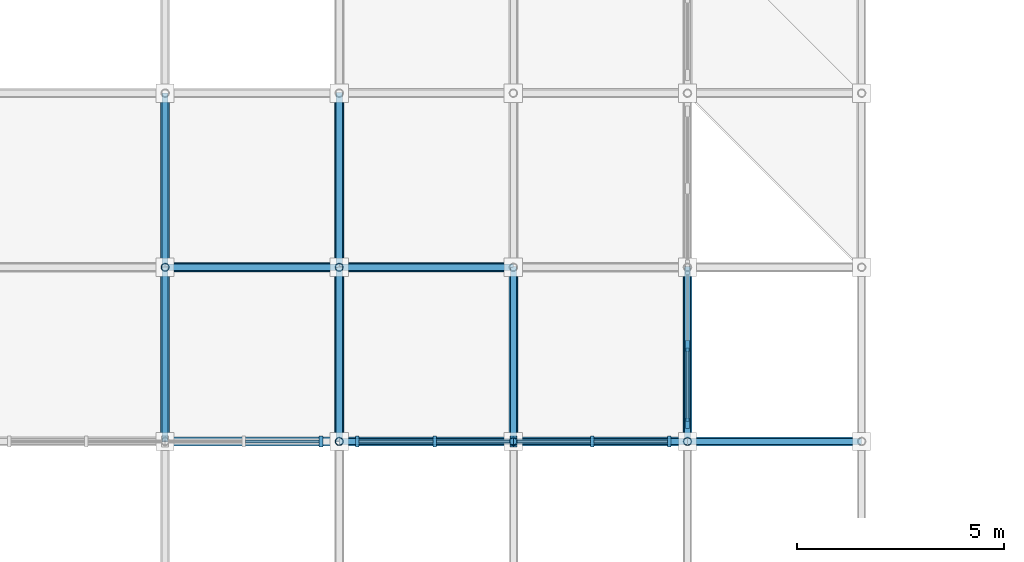
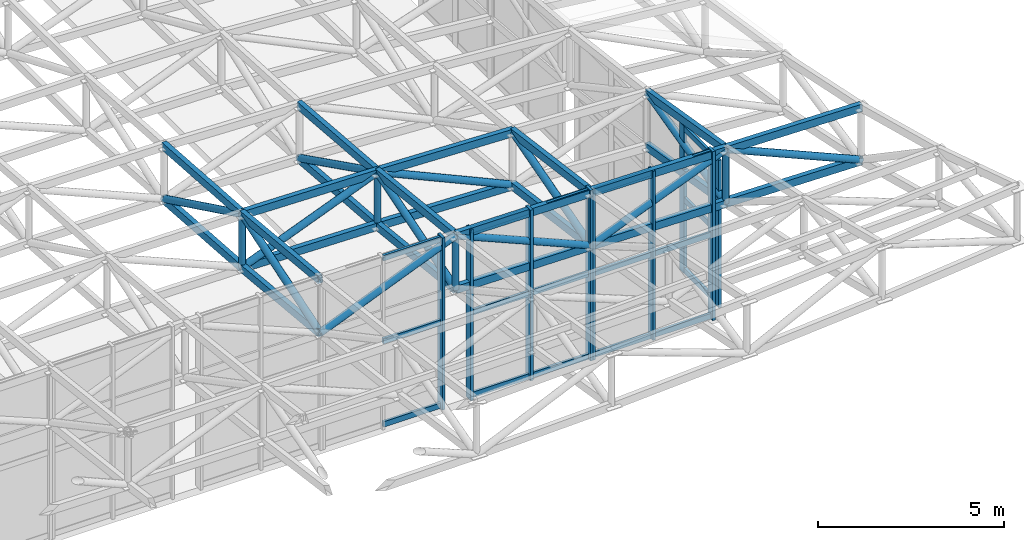
# One storey, part 22 of 132: 66 members, 4 elements without a shape of their own.
"""IFC4 building model written with IfcOpenShell, lengths in metres."""

from ifc_helpers import new_model, si_unit, direction, frame, origin, origin_2d, place, context, subcontext, project, spatial, rectangle, hollow_rectangle, hollow_circle, extrude, material, material_profile, profile_set, type_object, element, aggregate, save


model = new_model("IFC4")

# Units and contexts
model_context = context("Model", 3, precision=1e-05, world=origin(), true_north=direction((0.0, 1.0)))
body_context = subcontext(model_context, "Body", "Model", "MODEL_VIEW")
ifc_project = project(units=[si_unit("LENGTHUNIT", "METRE"), si_unit("AREAUNIT", "SQUARE_METRE"), si_unit("VOLUMEUNIT", "CUBIC_METRE"), si_unit("PLANEANGLEUNIT", "RADIAN"), si_unit("MASSUNIT", "GRAM", prefix="KILO")], contexts=[model_context])

# Site, building, storey
site_placement = place(None, origin())
site = spatial("IfcSite", under=ifc_project, at=site_placement, CompositionType="ELEMENT")
building_placement = place(site_placement, origin())
building = spatial("IfcBuilding", under=site, at=building_placement, Name="Cumbredor Promenade Congress Hotel", CompositionType="ELEMENT")
storey_placement = place(building_placement, frame((0.0, 0.0, 7.56005859375)))
storey = spatial("IfcBuildingStorey", under=building, at=storey_placement, Name="L02", CompositionType="ELEMENT", Elevation=7.56005859375)

# Curtain wall, member
ifc_material_1 = material(Name="Thermally broken anodized aluminium and low-E glass", Category="aluminium")
curtain_wall_type = type_object("IfcCurtainWallType", Name="Stepped Pavilion Clerestory Curtain Wall CW-06", PredefinedType="NOTDEFINED", material=ifc_material_1)
curtain_wall_1_placement = place(storey_placement, origin())
curtain_wall_1 = element("IfcCurtainWall", 1, at=curtain_wall_1_placement, inside=storey, type_object=curtain_wall_type, Name="Thermal Spa and Hydrotherapy Pavilion S Glazed Clerestory 6", PredefinedType="NOTDEFINED")
ifc_material_2 = material(Name="Thermally broken anodized aluminium", Category="aluminium")
ifc_material_profile_1 = material_profile(ifc_material_2, rectangle(XDim=0.0849609375, YDim=0.260009765625, at=origin_2d()), Name="ALU MULLION CLERESTORY 85x260")
ifc_profile_set_1 = profile_set([ifc_material_profile_1], Name="Thermally broken anodized aluminium")
member_type_1 = type_object("IfcMemberType", Name="Curtain Wall Mullion ML-04", PredefinedType="MULLION", material=ifc_profile_set_1)
member_1_placement = place(storey_placement, frame((100.360107421875, 8.39990234375, -0.01806640625), z_axis=(0.0, 0.0, 1.0), x_axis=(1.0, 0.0, 0.0)))
member_1 = element("IfcMember", 2, at=member_1_placement, type_object=member_type_1, Name="Thermal Spa and Hydrotherapy Pavilion S Glazed Clerestory 6 Mullion 3", PredefinedType="MULLION", context=body_context, shape_type="SweptSolid", body=[
    extrude(rectangle(XDim=0.0849609375, YDim=0.260009765625, at=origin_2d()), origin(), (0.0, 0.0, 1.0), 5.6533203125),
])

# Curtain wall, members
curtain_wall_2_placement = place(storey_placement, origin())
curtain_wall_2 = element("IfcCurtainWall", 3, at=curtain_wall_2_placement, inside=storey, type_object=curtain_wall_type, Name="Thermal Spa and Hydrotherapy Pavilion S Glazed Clerestory 7", PredefinedType="NOTDEFINED")
member_2_placement = place(storey_placement, frame((101.239990234375, 8.39990234375, -0.01806640625), z_axis=(0.0, 0.0, 1.0), x_axis=(1.0, 0.0, 0.0)))
member_2 = element("IfcMember", 4, at=member_2_placement, type_object=member_type_1, Name="Thermal Spa and Hydrotherapy Pavilion S Glazed Clerestory 7 Mullion 1", PredefinedType="MULLION", context=body_context, shape_type="SweptSolid", body=[
    extrude(rectangle(XDim=0.0849609375, YDim=0.260009765625, at=origin_2d()), origin(), (0.0, 0.0, 1.0), 5.610107421875),
])
member_3_placement = place(storey_placement, frame((103.10009765625, 8.39990234375, -0.01806640625), z_axis=(0.0, 0.0, 1.0), x_axis=(1.0, 0.0, 0.0)))
member_3 = element("IfcMember", 5, at=member_3_placement, type_object=member_type_1, Name="Thermal Spa and Hydrotherapy Pavilion S Glazed Clerestory 7 Mullion 2", PredefinedType="MULLION", context=body_context, shape_type="SweptSolid", body=[
    extrude(rectangle(XDim=0.0849609375, YDim=0.260009765625, at=origin_2d()), origin(), (0.0, 0.0, 1.0), 5.610107421875),
])
member_4_placement = place(storey_placement, frame((104.9599609375, 8.39990234375, -0.01806640625), z_axis=(0.0, 0.0, 1.0), x_axis=(1.0, 0.0, 0.0)))
member_4 = element("IfcMember", 6, at=member_4_placement, type_object=member_type_1, Name="Thermal Spa and Hydrotherapy Pavilion S Glazed Clerestory 7 Mullion 3", PredefinedType="MULLION", context=body_context, shape_type="SweptSolid", body=[
    extrude(rectangle(XDim=0.0849609375, YDim=0.260009765625, at=origin_2d()), origin(), (0.0, 0.0, 1.0), 5.610107421875),
])

curtain_wall_3_placement = place(storey_placement, origin())
curtain_wall_3 = element("IfcCurtainWall", 7, at=curtain_wall_3_placement, inside=storey, type_object=curtain_wall_type, Name="Thermal Spa and Hydrotherapy Pavilion S Glazed Clerestory 8", PredefinedType="NOTDEFINED")
member_5_placement = place(storey_placement, frame((105.0400390625, 8.39990234375, -0.01806640625), z_axis=(0.0, 0.0, 1.0), x_axis=(1.0, 0.0, 0.0)))
member_5 = element("IfcMember", 8, at=member_5_placement, type_object=member_type_1, Name="Thermal Spa and Hydrotherapy Pavilion S Glazed Clerestory 8 Mullion 1", PredefinedType="MULLION", context=body_context, shape_type="SweptSolid", body=[
    extrude(rectangle(XDim=0.0849609375, YDim=0.260009765625, at=origin_2d()), origin(), (0.0, 0.0, 1.0), 5.54931640625),
])
member_6_placement = place(storey_placement, frame((106.89990234375, 8.39990234375, -0.01806640625), z_axis=(0.0, 0.0, 1.0), x_axis=(1.0, 0.0, 0.0)))
member_6 = element("IfcMember", 9, at=member_6_placement, type_object=member_type_1, Name="Thermal Spa and Hydrotherapy Pavilion S Glazed Clerestory 8 Mullion 2", PredefinedType="MULLION", context=body_context, shape_type="SweptSolid", body=[
    extrude(rectangle(XDim=0.0849609375, YDim=0.260009765625, at=origin_2d()), origin(), (0.0, 0.0, 1.0), 5.54931640625),
])
member_7_placement = place(storey_placement, frame((108.760009765625, 8.39990234375, -0.01806640625), z_axis=(0.0, 0.0, 1.0), x_axis=(1.0, 0.0, 0.0)))
member_7 = element("IfcMember", 10, at=member_7_placement, type_object=member_type_1, Name="Thermal Spa and Hydrotherapy Pavilion S Glazed Clerestory 8 Mullion 3", PredefinedType="MULLION", context=body_context, shape_type="SweptSolid", body=[
    extrude(rectangle(XDim=0.0849609375, YDim=0.260009765625, at=origin_2d()), origin(), (0.0, 0.0, 1.0), 5.54931640625),
])

curtain_wall_4_placement = place(storey_placement, origin())
curtain_wall_4 = element("IfcCurtainWall", 11, at=curtain_wall_4_placement, inside=storey, type_object=curtain_wall_type, Name="Thermal Spa and Hydrotherapy Pavilion E Glazed Clerestory 1", PredefinedType="NOTDEFINED")
member_8_placement = place(storey_placement, frame((109.199951171875, 8.840087890625, -0.01806640625), z_axis=(0.0, 0.0, 1.0), x_axis=(1.0, 0.0, 0.0)))
member_8 = element("IfcMember", 12, at=member_8_placement, type_object=member_type_1, Name="Thermal Spa and Hydrotherapy Pavilion E Glazed Clerestory 1 Mullion 1", PredefinedType="MULLION", context=body_context, shape_type="SweptSolid", body=[
    extrude(rectangle(XDim=0.0849609375, YDim=0.260009765625, at=origin_2d()), origin(), (0.0, 0.0, 1.0), 4.845947265625),
])
member_9_placement = place(storey_placement, frame((109.199951171875, 10.699951171875, -0.01806640625), z_axis=(0.0, 0.0, 1.0), x_axis=(1.0, 0.0, 0.0)))
member_9 = element("IfcMember", 13, at=member_9_placement, type_object=member_type_1, Name="Thermal Spa and Hydrotherapy Pavilion E Glazed Clerestory 1 Mullion 2", PredefinedType="MULLION", context=body_context, shape_type="SweptSolid", body=[
    extrude(rectangle(XDim=0.0849609375, YDim=0.260009765625, at=origin_2d()), origin(), (0.0, 0.0, 1.0), 4.845947265625),
])

# Member
ifc_material_profile_2 = material_profile(ifc_material_2, rectangle(XDim=0.080078125, YDim=0.179931640625, at=origin_2d()), Name="ALU TRANSOM 80x180")
ifc_profile_set_2 = profile_set([ifc_material_profile_2], Name="Thermally broken anodized aluminium")
member_type_2 = type_object("IfcMemberType", Name="Curtain Wall Transom TR-03", PredefinedType="USERDEFINED", material=ifc_profile_set_2)
member_10_placement = place(storey_placement, frame((98.54248046875, 8.39990234375, 0.079833984375), z_axis=(1.0, 0.0, 0.0), x_axis=(0.0, 1.0, 0.0)))
member_10 = element("IfcMember", 14, at=member_10_placement, type_object=member_type_2, Name="Thermal Spa and Hydrotherapy Pavilion S Glazed Clerestory 6 Transom 2.1", ObjectType="TRANSOM", PredefinedType="USERDEFINED", context=body_context, shape_type="SweptSolid", body=[
    extrude(rectangle(XDim=0.080078125, YDim=0.179931640625, at=origin_2d()), origin(), (0.0, 0.0, 1.0), 1.77490234375),
])

member_11_placement = place(storey_placement, frame((98.54248046875, 8.39990234375, 2.81005859375), z_axis=(1.0, 0.0, 0.0), x_axis=(0.0, 1.0, 0.0)))
member_11 = element("IfcMember", 15, at=member_11_placement, type_object=member_type_2, Name="Thermal Spa and Hydrotherapy Pavilion S Glazed Clerestory 6 Transom 2.2", ObjectType="TRANSOM", PredefinedType="USERDEFINED", context=body_context, shape_type="SweptSolid", body=[
    extrude(rectangle(XDim=0.080078125, YDim=0.179931640625, at=origin_2d()), origin(), (0.0, 0.0, 1.0), 1.77490234375),
])

member_12_placement = place(storey_placement, frame((98.54248046875, 8.39990234375, 5.5400390625), z_axis=(1.0, 0.0, 0.0), x_axis=(0.0, 1.0, 0.0)))
member_12 = element("IfcMember", 16, at=member_12_placement, type_object=member_type_2, Name="Thermal Spa and Hydrotherapy Pavilion S Glazed Clerestory 6 Transom 2.3", ObjectType="TRANSOM", PredefinedType="USERDEFINED", context=body_context, shape_type="SweptSolid", body=[
    extrude(rectangle(XDim=0.080078125, YDim=0.179931640625, at=origin_2d()), origin(), (0.0, 0.0, 1.0), 1.77490234375),
])

aggregate(curtain_wall_1, [member_1, member_10, member_11, member_12])

member_13_placement = place(storey_placement, frame((101.282470703125, 8.39990234375, 0.079833984375), z_axis=(1.0, 0.0, 0.0), x_axis=(0.0, 1.0, 0.0)))
member_13 = element("IfcMember", 17, at=member_13_placement, type_object=member_type_2, Name="Thermal Spa and Hydrotherapy Pavilion S Glazed Clerestory 7 Transom 1.1", ObjectType="TRANSOM", PredefinedType="USERDEFINED", context=body_context, shape_type="SweptSolid", body=[
    extrude(rectangle(XDim=0.080078125, YDim=0.179931640625, at=origin_2d()), origin(), (0.0, 0.0, 1.0), 1.775146484375),
])

member_14_placement = place(storey_placement, frame((101.282470703125, 8.39990234375, 2.7900390625), z_axis=(1.0, 0.0, 0.0), x_axis=(0.0, 1.0, 0.0)))
member_14 = element("IfcMember", 18, at=member_14_placement, type_object=member_type_2, Name="Thermal Spa and Hydrotherapy Pavilion S Glazed Clerestory 7 Transom 1.2", ObjectType="TRANSOM", PredefinedType="USERDEFINED", context=body_context, shape_type="SweptSolid", body=[
    extrude(rectangle(XDim=0.080078125, YDim=0.179931640625, at=origin_2d()), origin(), (0.0, 0.0, 1.0), 1.775146484375),
])

member_15_placement = place(storey_placement, frame((101.282470703125, 8.39990234375, 5.489990234375), z_axis=(1.0, 0.0, 0.0), x_axis=(0.0, 1.0, 0.0)))
member_15 = element("IfcMember", 19, at=member_15_placement, type_object=member_type_2, Name="Thermal Spa and Hydrotherapy Pavilion S Glazed Clerestory 7 Transom 1.3", ObjectType="TRANSOM", PredefinedType="USERDEFINED", context=body_context, shape_type="SweptSolid", body=[
    extrude(rectangle(XDim=0.080078125, YDim=0.179931640625, at=origin_2d()), origin(), (0.0, 0.0, 1.0), 1.775146484375),
])

member_16_placement = place(storey_placement, frame((103.142578125, 8.39990234375, 0.079833984375), z_axis=(1.0, 0.0, 0.0), x_axis=(0.0, 1.0, 0.0)))
member_16 = element("IfcMember", 20, at=member_16_placement, type_object=member_type_2, Name="Thermal Spa and Hydrotherapy Pavilion S Glazed Clerestory 7 Transom 2.1", ObjectType="TRANSOM", PredefinedType="USERDEFINED", context=body_context, shape_type="SweptSolid", body=[
    extrude(rectangle(XDim=0.080078125, YDim=0.179931640625, at=origin_2d()), origin(), (0.0, 0.0, 1.0), 1.77490234375),
])

member_17_placement = place(storey_placement, frame((103.142578125, 8.39990234375, 2.7900390625), z_axis=(1.0, 0.0, 0.0), x_axis=(0.0, 1.0, 0.0)))
member_17 = element("IfcMember", 21, at=member_17_placement, type_object=member_type_2, Name="Thermal Spa and Hydrotherapy Pavilion S Glazed Clerestory 7 Transom 2.2", ObjectType="TRANSOM", PredefinedType="USERDEFINED", context=body_context, shape_type="SweptSolid", body=[
    extrude(rectangle(XDim=0.080078125, YDim=0.179931640625, at=origin_2d()), origin(), (0.0, 0.0, 1.0), 1.77490234375),
])

member_18_placement = place(storey_placement, frame((103.142578125, 8.39990234375, 5.489990234375), z_axis=(1.0, 0.0, 0.0), x_axis=(0.0, 1.0, 0.0)))
member_18 = element("IfcMember", 22, at=member_18_placement, type_object=member_type_2, Name="Thermal Spa and Hydrotherapy Pavilion S Glazed Clerestory 7 Transom 2.3", ObjectType="TRANSOM", PredefinedType="USERDEFINED", context=body_context, shape_type="SweptSolid", body=[
    extrude(rectangle(XDim=0.080078125, YDim=0.179931640625, at=origin_2d()), origin(), (0.0, 0.0, 1.0), 1.77490234375),
])

aggregate(curtain_wall_2, [member_2, member_3, member_4, member_13, member_14, member_15, member_16, member_17, member_18])

member_19_placement = place(storey_placement, frame((105.08251953125, 8.39990234375, 0.079833984375), z_axis=(1.0, 0.0, 0.0), x_axis=(0.0, 1.0, 0.0)))
member_19 = element("IfcMember", 23, at=member_19_placement, type_object=member_type_2, Name="Thermal Spa and Hydrotherapy Pavilion S Glazed Clerestory 8 Transom 1.1", ObjectType="TRANSOM", PredefinedType="USERDEFINED", context=body_context, shape_type="SweptSolid", body=[
    extrude(rectangle(XDim=0.080078125, YDim=0.179931640625, at=origin_2d()), origin(), (0.0, 0.0, 1.0), 1.77490234375),
])

member_20_placement = place(storey_placement, frame((105.08251953125, 8.39990234375, 2.75), z_axis=(1.0, 0.0, 0.0), x_axis=(0.0, 1.0, 0.0)))
member_20 = element("IfcMember", 24, at=member_20_placement, type_object=member_type_2, Name="Thermal Spa and Hydrotherapy Pavilion S Glazed Clerestory 8 Transom 1.2", ObjectType="TRANSOM", PredefinedType="USERDEFINED", context=body_context, shape_type="SweptSolid", body=[
    extrude(rectangle(XDim=0.080078125, YDim=0.179931640625, at=origin_2d()), origin(), (0.0, 0.0, 1.0), 1.77490234375),
])

member_21_placement = place(storey_placement, frame((105.08251953125, 8.39990234375, 5.429931640625), z_axis=(1.0, 0.0, 0.0), x_axis=(0.0, 1.0, 0.0)))
member_21 = element("IfcMember", 25, at=member_21_placement, type_object=member_type_2, Name="Thermal Spa and Hydrotherapy Pavilion S Glazed Clerestory 8 Transom 1.3", ObjectType="TRANSOM", PredefinedType="USERDEFINED", context=body_context, shape_type="SweptSolid", body=[
    extrude(rectangle(XDim=0.080078125, YDim=0.179931640625, at=origin_2d()), origin(), (0.0, 0.0, 1.0), 1.77490234375),
])

member_22_placement = place(storey_placement, frame((106.9423828125, 8.39990234375, 0.079833984375), z_axis=(1.0, 0.0, 0.0), x_axis=(0.0, 1.0, 0.0)))
member_22 = element("IfcMember", 26, at=member_22_placement, type_object=member_type_2, Name="Thermal Spa and Hydrotherapy Pavilion S Glazed Clerestory 8 Transom 2.1", ObjectType="TRANSOM", PredefinedType="USERDEFINED", context=body_context, shape_type="SweptSolid", body=[
    extrude(rectangle(XDim=0.080078125, YDim=0.179931640625, at=origin_2d()), origin(), (0.0, 0.0, 1.0), 1.775146484375),
])

member_23_placement = place(storey_placement, frame((106.9423828125, 8.39990234375, 2.75), z_axis=(1.0, 0.0, 0.0), x_axis=(0.0, 1.0, 0.0)))
member_23 = element("IfcMember", 27, at=member_23_placement, type_object=member_type_2, Name="Thermal Spa and Hydrotherapy Pavilion S Glazed Clerestory 8 Transom 2.2", ObjectType="TRANSOM", PredefinedType="USERDEFINED", context=body_context, shape_type="SweptSolid", body=[
    extrude(rectangle(XDim=0.080078125, YDim=0.179931640625, at=origin_2d()), origin(), (0.0, 0.0, 1.0), 1.775146484375),
])

member_24_placement = place(storey_placement, frame((106.9423828125, 8.39990234375, 5.429931640625), z_axis=(1.0, 0.0, 0.0), x_axis=(0.0, 1.0, 0.0)))
member_24 = element("IfcMember", 28, at=member_24_placement, type_object=member_type_2, Name="Thermal Spa and Hydrotherapy Pavilion S Glazed Clerestory 8 Transom 2.3", ObjectType="TRANSOM", PredefinedType="USERDEFINED", context=body_context, shape_type="SweptSolid", body=[
    extrude(rectangle(XDim=0.080078125, YDim=0.179931640625, at=origin_2d()), origin(), (0.0, 0.0, 1.0), 1.775146484375),
])

aggregate(curtain_wall_3, [member_5, member_6, member_7, member_19, member_20, member_21, member_22, member_23, member_24])

member_25_placement = place(storey_placement, frame((109.199951171875, 8.882568359375, 0.079833984375), z_axis=(0.0, 1.0, 0.0), x_axis=(-1.0, 0.0, 0.0)))
member_25 = element("IfcMember", 29, at=member_25_placement, type_object=member_type_2, Name="Thermal Spa and Hydrotherapy Pavilion E Glazed Clerestory 1 Transom 1.1", ObjectType="TRANSOM", PredefinedType="USERDEFINED", context=body_context, shape_type="SweptSolid", body=[
    extrude(rectangle(XDim=0.080078125, YDim=0.179931640625, at=origin_2d()), origin(), (0.0, 0.0, 1.0), 1.77490234375),
])

member_26_placement = place(storey_placement, frame((109.199951171875, 8.882568359375, 2.39990234375), z_axis=(0.0, 1.0, 0.0), x_axis=(-1.0, 0.0, 0.0)))
member_26 = element("IfcMember", 30, at=member_26_placement, type_object=member_type_2, Name="Thermal Spa and Hydrotherapy Pavilion E Glazed Clerestory 1 Transom 1.2", ObjectType="TRANSOM", PredefinedType="USERDEFINED", context=body_context, shape_type="SweptSolid", body=[
    extrude(rectangle(XDim=0.080078125, YDim=0.179931640625, at=origin_2d()), origin(), (0.0, 0.0, 1.0), 1.77490234375),
])

member_27_placement = place(storey_placement, frame((109.199951171875, 8.882568359375, 4.72998046875), z_axis=(0.0, 1.0, 0.0), x_axis=(-1.0, 0.0, 0.0)))
member_27 = element("IfcMember", 31, at=member_27_placement, type_object=member_type_2, Name="Thermal Spa and Hydrotherapy Pavilion E Glazed Clerestory 1 Transom 1.3", ObjectType="TRANSOM", PredefinedType="USERDEFINED", context=body_context, shape_type="SweptSolid", body=[
    extrude(rectangle(XDim=0.080078125, YDim=0.179931640625, at=origin_2d()), origin(), (0.0, 0.0, 1.0), 1.77490234375),
])

aggregate(curtain_wall_4, [member_8, member_9, member_25, member_26, member_27])

# Members
ifc_material_3 = material(Name="Steel ASTM A500 Grade C", Category="steel")
ifc_material_profile_3 = material_profile(ifc_material_3, hollow_rectangle(XDim=0.14990234375, YDim=0.25, WallThickness=0.012451171875, at=origin_2d()), Name="HSS 250x150x12.5")
ifc_profile_set_3 = profile_set([ifc_material_profile_3], Name="Steel ASTM A500 Grade C")
member_type_3 = type_object("IfcMemberType", Name="Spa Roof Space Frame Chord", PredefinedType="CHORD", material=ifc_profile_set_3)
for number, where, z_axis, x_axis, name in (
    (32, (100.800048828125, 8.39990234375, 5.484130859375), (0.999947073439, 0.0, -0.010288358542), (0.0, 1.0, 0.0), "Thermal Spa and Hydrotherapy Pavilion X Top Chord 8.3"),
    (33, (100.800048828125, 8.39990234375, 3.734130859375), (0.999947073439, 0.0, -0.010288358542), (0.0, 1.0, 0.0), "Thermal Spa and Hydrotherapy Pavilion X Bottom Chord 8.3"),
):
    element("IfcMember", number, at=place(storey_placement, frame(where, z_axis=z_axis, x_axis=x_axis)), inside=storey, type_object=member_type_3, Name=name, PredefinedType="CHORD", context=body_context, shape_type="SweptSolid", body=[
        extrude(hollow_rectangle(XDim=0.14990234375, YDim=0.25, WallThickness=0.012451171875, at=origin_2d()), origin(), (0.0, 0.0, 1.0), 4.2001953125),
    ])
for number, where, z_axis, x_axis, name in (
    (34, (105.0, 8.39990234375, 5.44091796875), (0.99989526494, 0.0, -0.014472703655), (0.0, 1.0, 0.0), "Thermal Spa and Hydrotherapy Pavilion X Top Chord 9.3"),
    (35, (105.0, 8.39990234375, 3.69091796875), (0.99989526494, 0.0, -0.014472703655), (0.0, 1.0, 0.0), "Thermal Spa and Hydrotherapy Pavilion X Bottom Chord 9.3"),
):
    element("IfcMember", number, at=place(storey_placement, frame(where, z_axis=z_axis, x_axis=x_axis)), inside=storey, type_object=member_type_3, Name=name, PredefinedType="CHORD", context=body_context, shape_type="SweptSolid", body=[
        extrude(hollow_rectangle(XDim=0.14990234375, YDim=0.25, WallThickness=0.012451171875, at=origin_2d()), origin(), (0.0, 0.0, 1.0), 4.200439453125),
    ])
for number, where, z_axis, x_axis, name in (
    (36, (109.199951171875, 8.39990234375, 5.380126953125), (0.99984492355, 0.0, -0.017610475605), (0.0, 1.0, 0.0), "Thermal Spa and Hydrotherapy Pavilion X Top Chord 10.3"),
    (37, (109.199951171875, 8.39990234375, 3.630126953125), (0.99984492355, 0.0, -0.017610475605), (0.0, 1.0, 0.0), "Thermal Spa and Hydrotherapy Pavilion X Bottom Chord 10.3"),
):
    element("IfcMember", number, at=place(storey_placement, frame(where, z_axis=z_axis, x_axis=x_axis)), inside=storey, type_object=member_type_3, Name=name, PredefinedType="CHORD", context=body_context, shape_type="SweptSolid", body=[
        extrude(hollow_rectangle(XDim=0.14990234375, YDim=0.25, WallThickness=0.012451171875, at=origin_2d()), origin(), (0.0, 0.0, 1.0), 4.20068359375),
    ])
for number, where, z_axis, x_axis, name in (
    (38, (96.60009765625, 12.60009765625, 5.111572265625), (0.999785946585, 0.0, -0.020689635353), (0.0, 1.0, 0.0), "Thermal Spa and Hydrotherapy Pavilion X Top Chord 7.4"),
    (39, (96.60009765625, 12.60009765625, 3.361572265625), (0.999785946585, 0.0, -0.020689635353), (0.0, 1.0, 0.0), "Thermal Spa and Hydrotherapy Pavilion X Bottom Chord 7.4"),
):
    element("IfcMember", number, at=place(storey_placement, frame(where, z_axis=z_axis, x_axis=x_axis)), inside=storey, type_object=member_type_3, Name=name, PredefinedType="CHORD", context=body_context, shape_type="SweptSolid", body=[
        extrude(hollow_rectangle(XDim=0.14990234375, YDim=0.25, WallThickness=0.012451171875, at=origin_2d()), origin(), (0.0, 0.0, 1.0), 4.200927734375),
    ])
for number, where, z_axis, x_axis, name in (
    (40, (100.800048828125, 12.60009765625, 5.024658203125), (0.999406413259, 0.0, -0.03445027048), (0.0, 1.0, 0.0), "Thermal Spa and Hydrotherapy Pavilion X Top Chord 8.4"),
    (41, (100.800048828125, 12.60009765625, 3.274658203125), (0.999406413259, 0.0, -0.03445027048), (0.0, 1.0, 0.0), "Thermal Spa and Hydrotherapy Pavilion X Bottom Chord 8.4"),
):
    element("IfcMember", number, at=place(storey_placement, frame(where, z_axis=z_axis, x_axis=x_axis)), inside=storey, type_object=member_type_3, Name=name, PredefinedType="CHORD", context=body_context, shape_type="SweptSolid", body=[
        extrude(hollow_rectangle(XDim=0.14990234375, YDim=0.25, WallThickness=0.012451171875, at=origin_2d()), origin(), (0.0, 0.0, 1.0), 4.202392578125),
    ])
for number, where, z_axis, x_axis, name in (
    (42, (96.60009765625, 8.39990234375, 5.510009765625), (0.0, 0.995530773245, -0.09443770181), (-1.0, 0.0, 0.0), "Thermal Spa and Hydrotherapy Pavilion Y Top Chord 7.3"),
    (43, (96.60009765625, 8.39990234375, 3.760009765625), (0.0, 0.995530773245, -0.09443770181), (-1.0, 0.0, 0.0), "Thermal Spa and Hydrotherapy Pavilion Y Bottom Chord 7.3"),
):
    element("IfcMember", number, at=place(storey_placement, frame(where, z_axis=z_axis, x_axis=x_axis)), inside=storey, type_object=member_type_3, Name=name, PredefinedType="CHORD", context=body_context, shape_type="SweptSolid", body=[
        extrude(hollow_rectangle(XDim=0.14990234375, YDim=0.25, WallThickness=0.012451171875, at=origin_2d()), origin(), (0.0, 0.0, 1.0), 4.218994140625),
    ])
for number, where, z_axis, x_axis, name in (
    (44, (96.60009765625, 12.60009765625, 5.111572265625), (0.0, 0.997478381667, -0.070970966643), (-1.0, 0.0, 0.0), "Thermal Spa and Hydrotherapy Pavilion Y Top Chord 7.4"),
    (45, (96.60009765625, 12.60009765625, 3.361572265625), (0.0, 0.997478381667, -0.070970966643), (-1.0, 0.0, 0.0), "Thermal Spa and Hydrotherapy Pavilion Y Bottom Chord 7.4"),
):
    element("IfcMember", number, at=place(storey_placement, frame(where, z_axis=z_axis, x_axis=x_axis)), inside=storey, type_object=member_type_3, Name=name, PredefinedType="CHORD", context=body_context, shape_type="SweptSolid", body=[
        extrude(hollow_rectangle(XDim=0.14990234375, YDim=0.25, WallThickness=0.012451171875, at=origin_2d()), origin(), (0.0, 0.0, 1.0), 4.21044921875),
    ])
for number, where, z_axis, x_axis, name in (
    (46, (100.800048828125, 8.39990234375, 5.484130859375), (0.0, 0.994069739994, -0.108744434473), (-1.0, 0.0, 0.0), "Thermal Spa and Hydrotherapy Pavilion Y Top Chord 8.3"),
    (47, (100.800048828125, 8.39990234375, 3.734130859375), (0.0, 0.994069739994, -0.108744434473), (-1.0, 0.0, 0.0), "Thermal Spa and Hydrotherapy Pavilion Y Bottom Chord 8.3"),
):
    element("IfcMember", number, at=place(storey_placement, frame(where, z_axis=z_axis, x_axis=x_axis)), inside=storey, type_object=member_type_3, Name=name, PredefinedType="CHORD", context=body_context, shape_type="SweptSolid", body=[
        extrude(hollow_rectangle(XDim=0.14990234375, YDim=0.25, WallThickness=0.012451171875, at=origin_2d()), origin(), (0.0, 0.0, 1.0), 4.225341796875),
    ])
for number, where, z_axis, x_axis, name in (
    (48, (100.800048828125, 12.60009765625, 5.024658203125), (0.0, 0.996653189411, -0.081746070468), (-1.0, 0.0, 0.0), "Thermal Spa and Hydrotherapy Pavilion Y Top Chord 8.4"),
    (49, (100.800048828125, 12.60009765625, 3.274658203125), (0.0, 0.996653189411, -0.081746070468), (-1.0, 0.0, 0.0), "Thermal Spa and Hydrotherapy Pavilion Y Bottom Chord 8.4"),
):
    element("IfcMember", number, at=place(storey_placement, frame(where, z_axis=z_axis, x_axis=x_axis)), inside=storey, type_object=member_type_3, Name=name, PredefinedType="CHORD", context=body_context, shape_type="SweptSolid", body=[
        extrude(hollow_rectangle(XDim=0.14990234375, YDim=0.25, WallThickness=0.012451171875, at=origin_2d()), origin(), (0.0, 0.0, 1.0), 4.214111328125),
    ])
for number, where, z_axis, x_axis, name in (
    (50, (105.0, 8.39990234375, 5.44091796875), (0.0, 0.991196675796, -0.132397695942), (-1.0, 0.0, 0.0), "Thermal Spa and Hydrotherapy Pavilion Y Top Chord 9.3"),
    (51, (105.0, 8.39990234375, 3.69091796875), (0.0, 0.991196675796, -0.132397695942), (-1.0, 0.0, 0.0), "Thermal Spa and Hydrotherapy Pavilion Y Bottom Chord 9.3"),
):
    element("IfcMember", number, at=place(storey_placement, frame(where, z_axis=z_axis, x_axis=x_axis)), inside=storey, type_object=member_type_3, Name=name, PredefinedType="CHORD", context=body_context, shape_type="SweptSolid", body=[
        extrude(hollow_rectangle(XDim=0.14990234375, YDim=0.25, WallThickness=0.012451171875, at=origin_2d()), origin(), (0.0, 0.0, 1.0), 4.237548828125),
    ])
for number, where, z_axis, x_axis, name in (
    (52, (109.199951171875, 8.39990234375, 5.380126953125), (0.0, 0.986275915387, -0.165105477582), (-1.0, 0.0, 0.0), "Thermal Spa and Hydrotherapy Pavilion Y Top Chord 10.3"),
    (53, (109.199951171875, 8.39990234375, 3.630126953125), (0.0, 0.986275915387, -0.165105477582), (-1.0, 0.0, 0.0), "Thermal Spa and Hydrotherapy Pavilion Y Bottom Chord 10.3"),
):
    element("IfcMember", number, at=place(storey_placement, frame(where, z_axis=z_axis, x_axis=x_axis)), inside=storey, type_object=member_type_3, Name=name, PredefinedType="CHORD", context=body_context, shape_type="SweptSolid", body=[
        extrude(hollow_rectangle(XDim=0.14990234375, YDim=0.25, WallThickness=0.012451171875, at=origin_2d()), origin(), (0.0, 0.0, 1.0), 4.258544921875),
    ])
ifc_material_profile_4 = material_profile(ifc_material_3, hollow_circle(Radius=0.109619140625, WallThickness=0.012451171875, at=origin_2d()), Name="CHS 219.1x12.5")
ifc_profile_set_4 = profile_set([ifc_material_profile_4], Name="Steel ASTM A500 Grade C")
member_type_4 = type_object("IfcMemberType", Name="Space Frame Web Diagonal D1", PredefinedType="BRACE", material=ifc_profile_set_4)
member_28_placement = place(storey_placement, frame((96.60009765625, 8.39990234375, 3.760009765625), z_axis=(0.925086285307, 0.0, 0.379756981157), x_axis=(0.0, 1.0, 0.0)))
element("IfcMember", 54, at=member_28_placement, inside=storey, type_object=member_type_4, Name="Thermal Spa and Hydrotherapy Pavilion X Web Diagonal 7.3", PredefinedType="BRACE", context=body_context, shape_type="SweptSolid", body=[
    extrude(hollow_circle(Radius=0.109619140625, WallThickness=0.012451171875, at=origin_2d()), origin(), (0.0, 0.0, 1.0), 4.5400390625),
])
member_29_placement = place(storey_placement, frame((100.800048828125, 8.39990234375, 5.484130859375), z_axis=(0.91968062597, 0.0, -0.392667220703), x_axis=(0.0, 1.0, 0.0)))
element("IfcMember", 55, at=member_29_placement, inside=storey, type_object=member_type_4, Name="Thermal Spa and Hydrotherapy Pavilion X Web Diagonal 8.3", PredefinedType="BRACE", context=body_context, shape_type="SweptSolid", body=[
    extrude(hollow_circle(Radius=0.109619140625, WallThickness=0.012451171875, at=origin_2d()), origin(), (0.0, 0.0, 1.0), 4.566650390625),
])
member_30_placement = place(storey_placement, frame((105.0, 8.39990234375, 3.69091796875), z_axis=(0.927772067225, 0.0, 0.373147412261), x_axis=(0.0, 1.0, 0.0)))
element("IfcMember", 56, at=member_30_placement, inside=storey, type_object=member_type_4, Name="Thermal Spa and Hydrotherapy Pavilion X Web Diagonal 9.3", PredefinedType="BRACE", context=body_context, shape_type="SweptSolid", body=[
    extrude(hollow_circle(Radius=0.109619140625, WallThickness=0.012451171875, at=origin_2d()), origin(), (0.0, 0.0, 1.0), 4.52685546875),
])
member_31_placement = place(storey_placement, frame((109.199951171875, 8.39990234375, 5.380126953125), z_axis=(0.917236966777, 0.0, -0.398341997256), x_axis=(0.0, 1.0, 0.0)))
element("IfcMember", 57, at=member_31_placement, inside=storey, type_object=member_type_4, Name="Thermal Spa and Hydrotherapy Pavilion X Web Diagonal 10.3", PredefinedType="BRACE", context=body_context, shape_type="SweptSolid", body=[
    extrude(hollow_circle(Radius=0.109619140625, WallThickness=0.012451171875, at=origin_2d()), origin(), (0.0, 0.0, 1.0), 4.578857421875),
])
member_32_placement = place(storey_placement, frame((96.60009765625, 12.60009765625, 3.361572265625), z_axis=(0.929760752579, 0.0, 0.368164288006), x_axis=(0.0, 1.0, 0.0)))
element("IfcMember", 58, at=member_32_placement, inside=storey, type_object=member_type_4, Name="Thermal Spa and Hydrotherapy Pavilion X Web Diagonal 7.4", PredefinedType="BRACE", context=body_context, shape_type="SweptSolid", body=[
    extrude(hollow_circle(Radius=0.109619140625, WallThickness=0.012451171875, at=origin_2d()), origin(), (0.0, 0.0, 1.0), 4.517333984375),
])
member_33_placement = place(storey_placement, frame((100.800048828125, 12.60009765625, 5.024658203125), z_axis=(0.911531459571, 0.0, -0.411230346901), x_axis=(0.0, 1.0, 0.0)))
element("IfcMember", 59, at=member_33_placement, inside=storey, type_object=member_type_4, Name="Thermal Spa and Hydrotherapy Pavilion X Web Diagonal 8.4", PredefinedType="BRACE", context=body_context, shape_type="SweptSolid", body=[
    extrude(hollow_circle(Radius=0.109619140625, WallThickness=0.012451171875, at=origin_2d()), origin(), (0.0, 0.0, 1.0), 4.607666015625),
])
member_34_placement = place(storey_placement, frame((96.60009765625, 8.39990234375, 3.760009765625), z_axis=(0.0, 0.951929489783, 0.306317231774), x_axis=(-1.0, 0.0, 0.0)))
element("IfcMember", 60, at=member_34_placement, inside=storey, type_object=member_type_4, Name="Thermal Spa and Hydrotherapy Pavilion Y Web Diagonal 7.3", PredefinedType="BRACE", context=body_context, shape_type="SweptSolid", body=[
    extrude(hollow_circle(Radius=0.109619140625, WallThickness=0.012451171875, at=origin_2d()), origin(), (0.0, 0.0, 1.0), 4.412353515625),
])
member_35_placement = place(storey_placement, frame((96.60009765625, 12.60009765625, 5.111572265625), z_axis=(0.0, 0.898762420242, -0.438435983879), x_axis=(-1.0, 0.0, 0.0)))
element("IfcMember", 61, at=member_35_placement, inside=storey, type_object=member_type_4, Name="Thermal Spa and Hydrotherapy Pavilion Y Web Diagonal 7.4", PredefinedType="BRACE", context=body_context, shape_type="SweptSolid", body=[
    extrude(hollow_circle(Radius=0.109619140625, WallThickness=0.012451171875, at=origin_2d()), origin(), (0.0, 0.0, 1.0), 4.673095703125),
])
member_36_placement = place(storey_placement, frame((100.800048828125, 8.39990234375, 3.734130859375), z_axis=(0.0, 0.955896664492, 0.2937031951), x_axis=(-1.0, 0.0, 0.0)))
element("IfcMember", 62, at=member_36_placement, inside=storey, type_object=member_type_4, Name="Thermal Spa and Hydrotherapy Pavilion Y Web Diagonal 8.3", PredefinedType="BRACE", context=body_context, shape_type="SweptSolid", body=[
    extrude(hollow_circle(Radius=0.109619140625, WallThickness=0.012451171875, at=origin_2d()), origin(), (0.0, 0.0, 1.0), 4.39404296875),
])
member_37_placement = place(storey_placement, frame((100.800048828125, 12.60009765625, 5.024658203125), z_axis=(0.0, 0.894894878165, -0.44627699586), x_axis=(-1.0, 0.0, 0.0)))
element("IfcMember", 63, at=member_37_placement, inside=storey, type_object=member_type_4, Name="Thermal Spa and Hydrotherapy Pavilion Y Web Diagonal 8.4", PredefinedType="BRACE", context=body_context, shape_type="SweptSolid", body=[
    extrude(hollow_circle(Radius=0.109619140625, WallThickness=0.012451171875, at=origin_2d()), origin(), (0.0, 0.0, 1.0), 4.693115234375),
])
member_38_placement = place(storey_placement, frame((105.0, 8.39990234375, 3.69091796875), z_axis=(0.0, 0.962192219172, 0.272371315239), x_axis=(-1.0, 0.0, 0.0)))
element("IfcMember", 64, at=member_38_placement, inside=storey, type_object=member_type_4, Name="Thermal Spa and Hydrotherapy Pavilion Y Web Diagonal 9.3", PredefinedType="BRACE", context=body_context, shape_type="SweptSolid", body=[
    extrude(hollow_circle(Radius=0.109619140625, WallThickness=0.012451171875, at=origin_2d()), origin(), (0.0, 0.0, 1.0), 4.365234375),
])
member_39_placement = place(storey_placement, frame((109.199951171875, 8.39990234375, 3.630126953125), z_axis=(0.0, 0.970314773992, 0.241845486566), x_axis=(-1.0, 0.0, 0.0)))
element("IfcMember", 65, at=member_39_placement, inside=storey, type_object=member_type_4, Name="Thermal Spa and Hydrotherapy Pavilion Y Web Diagonal 10.3", PredefinedType="BRACE", context=body_context, shape_type="SweptSolid", body=[
    extrude(hollow_circle(Radius=0.109619140625, WallThickness=0.012451171875, at=origin_2d()), origin(), (0.0, 0.0, 1.0), 4.32861328125),
])
ifc_material_profile_5 = material_profile(ifc_material_3, hollow_circle(Radius=0.096923828125, WallThickness=0.010009765625, at=origin_2d()), Name="CHS 193.7x10")
ifc_profile_set_5 = profile_set([ifc_material_profile_5], Name="Steel ASTM A500 Grade C")
member_type_5 = type_object("IfcMemberType", Name="Space Frame Web Post P1", PredefinedType="BRACE", material=ifc_profile_set_5)
for number, where, z_axis, x_axis, name in (
    (66, (96.60009765625, 12.60009765625, 3.361572265625), (0.0, 0.0, 1.0), (1.0, 0.0, 0.0), "Thermal Spa and Hydrotherapy Pavilion Space Frame Web Post 7.4"),
    (67, (100.800048828125, 8.39990234375, 3.734130859375), (0.0, 0.0, 1.0), (1.0, 0.0, 0.0), "Thermal Spa and Hydrotherapy Pavilion Space Frame Web Post 8.3"),
    (68, (100.800048828125, 12.60009765625, 3.274658203125), (0.0, 0.0, 1.0), (1.0, 0.0, 0.0), "Thermal Spa and Hydrotherapy Pavilion Space Frame Web Post 8.4"),
    (69, (105.0, 8.39990234375, 3.69091796875), (0.0, 0.0, 1.0), (1.0, 0.0, 0.0), "Thermal Spa and Hydrotherapy Pavilion Space Frame Web Post 9.3"),
    (70, (109.199951171875, 8.39990234375, 3.630126953125), (0.0, 0.0, 1.0), (1.0, 0.0, 0.0), "Thermal Spa and Hydrotherapy Pavilion Space Frame Web Post 10.3"),
):
    element("IfcMember", number, at=place(storey_placement, frame(where, z_axis=z_axis, x_axis=x_axis)), inside=storey, type_object=member_type_5, Name=name, PredefinedType="BRACE", context=body_context, shape_type="SweptSolid", body=[
        extrude(hollow_circle(Radius=0.096923828125, WallThickness=0.010009765625, at=origin_2d()), origin(), (0.0, 0.0, 1.0), 1.75),
    ])

save(model, "model.ifc")
